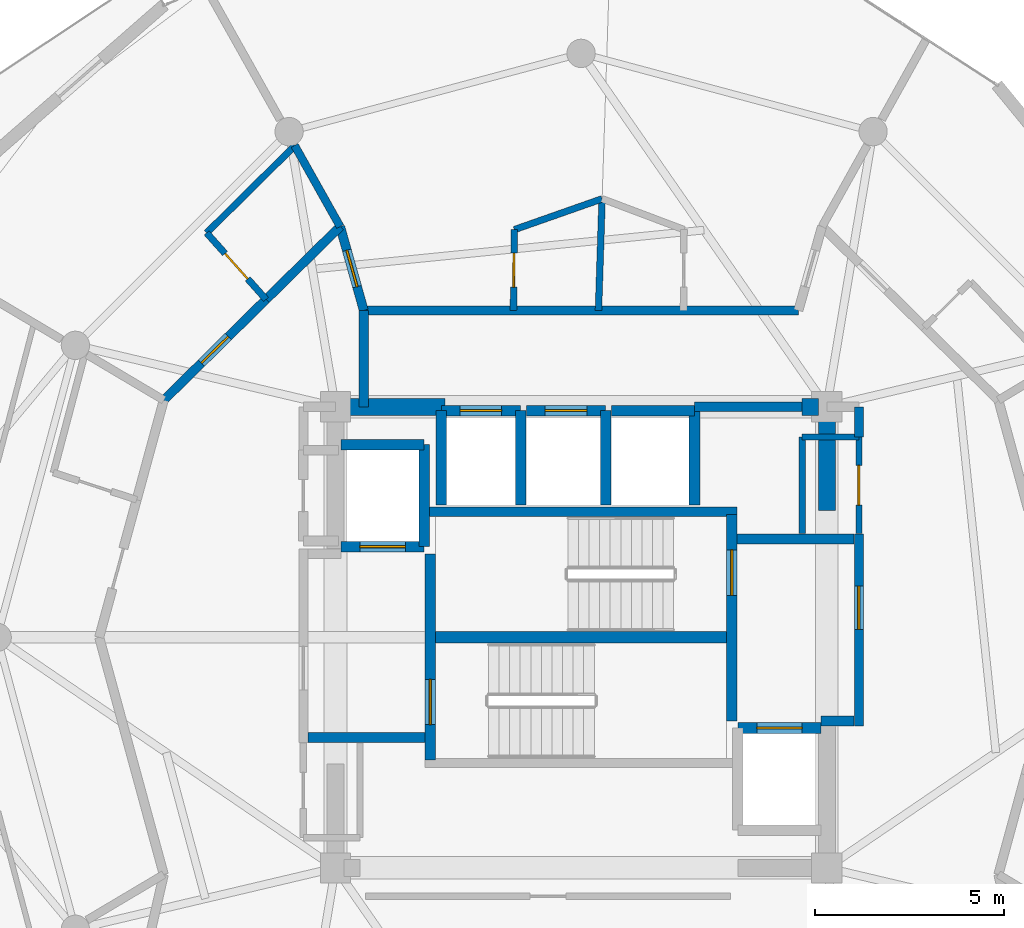
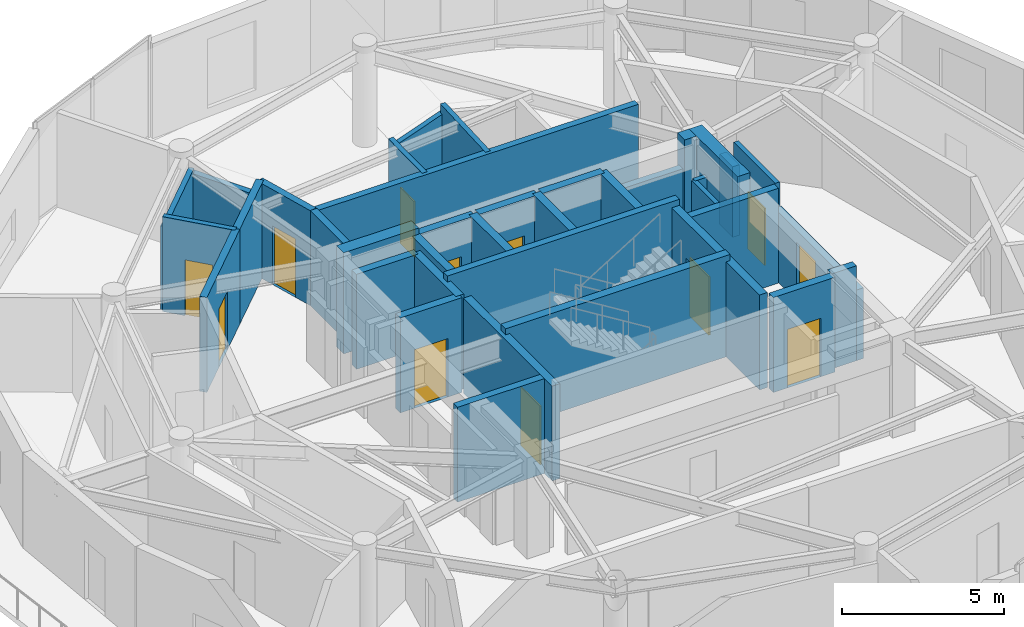
# One storey, part 13 of 17: 38 walls, 12 doors, 12 openings.
"""IFC4 building model written with IfcOpenShell, lengths in metres."""

from ifc_helpers import new_model, si_unit, direction, frame, frame_2d, origin, place, context, subcontext, project, spatial, rectangle, extrude, material, layer, layer_set, type_object, element, fill, save


model = new_model("IFC4")

# Units and contexts
model_context = context("Model", 3, precision=1e-05, world=origin(), true_north=direction((0.0, 1.0)))
body_context = subcontext(model_context, "Body", "Model", "MODEL_VIEW")
ifc_project = project(units=[si_unit("LENGTHUNIT", "METRE"), si_unit("AREAUNIT", "SQUARE_METRE"), si_unit("VOLUMEUNIT", "CUBIC_METRE"), si_unit("PLANEANGLEUNIT", "RADIAN"), si_unit("MASSUNIT", "GRAM", prefix="KILO")], contexts=[model_context])

# Site, building, storey
site_placement = place(None, origin())
site = spatial("IfcSite", under=ifc_project, at=site_placement, CompositionType="ELEMENT")
building_placement = place(site_placement, origin())
building = spatial("IfcBuilding", under=site, at=building_placement, Name="Solvirekh Grand Hotel", CompositionType="ELEMENT")
storey_placement = place(building_placement, frame((0.0, 0.0, 246.800048828125)))
storey = spatial("IfcBuildingStorey", under=building, at=storey_placement, Name="L64", CompositionType="ELEMENT", Elevation=246.800048828125)

# Wall
ifc_material_1 = material(Name="Concrete C50/60", Category="concrete")
ifc_layer_1 = layer(ifc_material_1, 0.35009765625)
ifc_layer_set_1 = layer_set([ifc_layer_1], Name="Concrete C50/60")
wall_type_1 = type_object("IfcWallType", Name="CoreDivWall_RC350", PredefinedType="SOLIDWALL", material=ifc_layer_set_1)
wall_1_placement = place(storey_placement, frame((-4.1298828125, 3.324951171875, 0.0), z_axis=(0.0, 0.0, 1.0), x_axis=(1.0, 0.0, 0.0)))
element("IfcWall", 1, at=wall_1_placement, inside=storey, type_object=wall_type_1, Name="L64 core stair box wall ST-N", PredefinedType="SOLIDWALL", context=body_context, shape_type="SweptSolid", body=[
    extrude(rectangle(XDim=8.259765625, YDim=0.25, at=frame_2d((4.1298828125, 0.0))), origin(), (0.0, 0.0, 1.0), 3.800048828125),
])

# Wall, opening, door
ifc_material_2 = material(Name="Concrete C40/50", Category="concrete")
ifc_layer_2 = layer(ifc_material_2, 0.280029296875)
ifc_layer_set_2 = layer_set([ifc_layer_2], Name="Concrete C40/50")
wall_type_2 = type_object("IfcWallType", Name="CoreShaftWall_RC280", PredefinedType="SOLIDWALL", material=ifc_layer_set_2)
wall_2_placement = place(storey_placement, frame((-1.60009765625, 6.0, 0.0), z_axis=(0.0, 0.0, 1.0), x_axis=(-1.0, 0.0, 0.0)))
wall_2 = element("IfcWall", 2, at=wall_2_placement, inside=storey, type_object=wall_type_2, Name="L64 HP-1 hoistway N wall", PredefinedType="SOLIDWALL", context=body_context, shape_type="SweptSolid", body=[
    extrude(rectangle(XDim=2.099853515625, YDim=0.280029296875, at=frame_2d((1.0498046875, 0.0))), origin(), (0.0, 0.0, 1.0), 3.570068359375),
])
opening_1_placement = place(wall_2_placement, frame((0.5, 0.0, 0.0)))
opening_1 = element("IfcOpeningElement", 3, at=opening_1_placement, cuts=wall_2, Name="Opening LD01", PredefinedType="OPENING", context=body_context, shape_type="SweptSolid", body=[
    extrude(rectangle(XDim=1.10009765625, YDim=2.199951171875, at=frame_2d((0.550048828125, 1.10009765625))), frame((0.0, 0.14990234375, 0.0), z_axis=(0.0, -1.0, 0.0), x_axis=(1.0, 0.0, 0.0)), (0.0, 0.0, 1.0), 0.300048828125),
])
ifc_material_3 = material(Name="Fire-Rated Steel Door Assembly", Category="steel")
door_type_1 = type_object("IfcDoorType", Name="Door_LiftLanding_1100X2200", OperationType="SLIDING_TO_LEFT", PredefinedType="DOOR", material=ifc_material_3)
door_1_placement = place(opening_1_placement, origin())
door_1 = element("IfcDoor", 4, at=door_1_placement, inside=storey, type_object=door_type_1, Name="L64 HP-1 sliding lift landing door", OperationType="SLIDING_TO_LEFT", OverallHeight=2.199951171875, OverallWidth=1.10009765625, PredefinedType="DOOR", context=body_context, shape_type="SweptSolid", body=[
    extrude(rectangle(XDim=1.10009765625, YDim=2.199951171875, at=frame_2d((0.550048828125, 1.10009765625))), frame((0.0, 0.02490234375, 0.0), z_axis=(0.0, -1.0, 0.0), x_axis=(1.0, 0.0, 0.0)), (0.0, 0.0, 1.0), 0.050048828125),
])
fill(opening_1, door_1)

# Walls
for number, where, z_axis, x_axis, name in (
    (5, (-3.699951171875, 6.0, 0.0), (0.0, 0.0, 1.0), (0.0, -1.0, 0.0), "L64 HP-1 hoistway W wall"),
    (6, (-1.60009765625, 3.5, 0.0), (0.0, 0.0, 1.0), (0.0, 1.0, 0.0), "L64 HP-1 hoistway E wall"),
):
    element("IfcWall", number, at=place(storey_placement, frame(where, z_axis=z_axis, x_axis=x_axis)), inside=storey, type_object=wall_type_2, Name=name, PredefinedType="SOLIDWALL", context=body_context, shape_type="SweptSolid", body=[
        extrude(rectangle(XDim=2.5, YDim=0.280029296875, at=frame_2d((1.25, 0.0))), origin(), (0.0, 0.0, 1.0), 3.570068359375),
    ])

# Wall, opening, door
wall_3_placement = place(storey_placement, frame((0.64990234375, 6.0, 0.0), z_axis=(0.0, 0.0, 1.0), x_axis=(-1.0, 0.0, 0.0)))
wall_3 = element("IfcWall", 7, at=wall_3_placement, inside=storey, type_object=wall_type_2, Name="L64 HP-2 hoistway N wall", PredefinedType="SOLIDWALL", context=body_context, shape_type="SweptSolid", body=[
    extrude(rectangle(XDim=2.099853515625, YDim=0.280029296875, at=frame_2d((1.0498046875, 0.0))), origin(), (0.0, 0.0, 1.0), 3.570068359375),
])
opening_2_placement = place(wall_3_placement, frame((0.5, 0.0, 0.0)))
opening_2 = element("IfcOpeningElement", 8, at=opening_2_placement, cuts=wall_3, Name="Opening LD01", PredefinedType="OPENING", context=body_context, shape_type="SweptSolid", body=[
    extrude(rectangle(XDim=1.10009765625, YDim=2.199951171875, at=frame_2d((0.550048828125, 1.10009765625))), frame((0.0, 0.14990234375, 0.0), z_axis=(0.0, -1.0, 0.0), x_axis=(1.0, 0.0, 0.0)), (0.0, 0.0, 1.0), 0.300048828125),
])
door_2_placement = place(opening_2_placement, origin())
door_2 = element("IfcDoor", 9, at=door_2_placement, inside=storey, type_object=door_type_1, Name="L64 HP-2 sliding lift landing door", OperationType="SLIDING_TO_LEFT", OverallHeight=2.199951171875, OverallWidth=1.10009765625, PredefinedType="DOOR", context=body_context, shape_type="SweptSolid", body=[
    extrude(rectangle(XDim=1.10009765625, YDim=2.199951171875, at=frame_2d((0.550048828125, 1.10009765625))), frame((0.0, 0.02490234375, 0.0), z_axis=(0.0, -1.0, 0.0), x_axis=(1.0, 0.0, 0.0)), (0.0, 0.0, 1.0), 0.050048828125),
])
fill(opening_2, door_2)

# Walls
wall_4_placement = place(storey_placement, frame((0.64990234375, 3.5, 0.0), z_axis=(0.0, 0.0, 1.0), x_axis=(0.0, 1.0, 0.0)))
element("IfcWall", 10, at=wall_4_placement, inside=storey, type_object=wall_type_2, Name="L64 HP-2 hoistway E wall", PredefinedType="SOLIDWALL", context=body_context, shape_type="SweptSolid", body=[
    extrude(rectangle(XDim=2.5, YDim=0.280029296875, at=frame_2d((1.25, 0.0))), origin(), (0.0, 0.0, 1.0), 3.570068359375),
])
wall_5_placement = place(storey_placement, frame((3.0, 6.0, 0.0), z_axis=(0.0, 0.0, 1.0), x_axis=(-1.0, 0.0, 0.0)))
element("IfcWall", 11, at=wall_5_placement, inside=storey, type_object=wall_type_2, Name="L64 EX-1 hoistway N wall", PredefinedType="SOLIDWALL", context=body_context, shape_type="SweptSolid", body=[
    extrude(rectangle(XDim=2.199951171875, YDim=0.280029296875, at=frame_2d((1.10009765625, 0.0))), origin(), (0.0, 0.0, 1.0), 3.570068359375),
])
wall_6_placement = place(storey_placement, frame((3.0, 3.5, 0.0), z_axis=(0.0, 0.0, 1.0), x_axis=(0.0, 1.0, 0.0)))
element("IfcWall", 12, at=wall_6_placement, inside=storey, type_object=wall_type_2, Name="L64 EX-1 hoistway E wall", PredefinedType="SOLIDWALL", context=body_context, shape_type="SweptSolid", body=[
    extrude(rectangle(XDim=2.5, YDim=0.280029296875, at=frame_2d((1.25, 0.0))), origin(), (0.0, 0.0, 1.0), 3.570068359375),
])

# Wall, opening, door
wall_7_placement = place(storey_placement, frame((-6.35009765625, 2.39990234375, 0.0), z_axis=(0.0, 0.0, 1.0), x_axis=(1.0, 0.0, 0.0)))
wall_7 = element("IfcWall", 13, at=wall_7_placement, inside=storey, type_object=wall_type_2, Name="L64 FL-1 hoistway S wall", PredefinedType="SOLIDWALL", context=body_context, shape_type="SweptSolid", body=[
    extrude(rectangle(XDim=2.2001953125, YDim=0.280029296875, at=frame_2d((1.10009765625, 0.0))), origin(), (0.0, 0.0, 1.0), 3.570068359375),
])
opening_3_placement = place(wall_7_placement, frame((0.5, 0.0, 0.0)))
opening_3 = element("IfcOpeningElement", 14, at=opening_3_placement, cuts=wall_7, Name="Opening LD02", PredefinedType="OPENING", context=body_context, shape_type="SweptSolid", body=[
    extrude(rectangle(XDim=1.199951171875, YDim=2.199951171875, at=frame_2d((0.60009765625, 1.10009765625))), frame((0.0, 0.14990234375, 0.0), z_axis=(0.0, -1.0, 0.0), x_axis=(1.0, 0.0, 0.0)), (0.0, 0.0, 1.0), 0.300048828125),
])
door_type_2 = type_object("IfcDoorType", Name="Door_LiftFF_1200X2200", OperationType="SLIDING_TO_LEFT", PredefinedType="DOOR", material=ifc_material_3)
door_3_placement = place(opening_3_placement, origin())
door_3 = element("IfcDoor", 15, at=door_3_placement, inside=storey, type_object=door_type_2, Name="L64 FL-1 sliding lift landing door", OperationType="SLIDING_TO_LEFT", OverallHeight=2.199951171875, OverallWidth=1.199951171875, PredefinedType="DOOR", context=body_context, shape_type="SweptSolid", body=[
    extrude(rectangle(XDim=1.199951171875, YDim=2.199951171875, at=frame_2d((0.60009765625, 1.10009765625))), frame((0.0, 0.02490234375, 0.0), z_axis=(0.0, -1.0, 0.0), x_axis=(1.0, 0.0, 0.0)), (0.0, 0.0, 1.0), 0.050048828125),
])
fill(opening_3, door_3)

# Walls
wall_8_placement = place(storey_placement, frame((-4.14990234375, 5.10009765625, 0.0), z_axis=(0.0, 0.0, 1.0), x_axis=(-1.0, 0.0, 0.0)))
element("IfcWall", 16, at=wall_8_placement, inside=storey, type_object=wall_type_2, Name="L64 FL-1 hoistway N wall", PredefinedType="SOLIDWALL", context=body_context, shape_type="SweptSolid", body=[
    extrude(rectangle(XDim=2.2001953125, YDim=0.280029296875, at=frame_2d((1.10009765625, 0.0))), origin(), (0.0, 0.0, 1.0), 3.570068359375),
])
wall_9_placement = place(storey_placement, frame((-4.14990234375, 2.39990234375, 0.0), z_axis=(0.0, 0.0, 1.0), x_axis=(0.0, 1.0, 0.0)))
element("IfcWall", 17, at=wall_9_placement, inside=storey, type_object=wall_type_2, Name="L64 FL-1 hoistway E wall", PredefinedType="SOLIDWALL", context=body_context, shape_type="SweptSolid", body=[
    extrude(rectangle(XDim=2.7001953125, YDim=0.280029296875, at=frame_2d((1.35009765625, 0.0))), origin(), (0.0, 0.0, 1.0), 3.570068359375),
])

# Wall, opening, door
wall_10_placement = place(storey_placement, frame((6.35009765625, -2.39990234375, 0.0), z_axis=(0.0, 0.0, 1.0), x_axis=(-1.0, 0.0, 0.0)))
wall_10 = element("IfcWall", 18, at=wall_10_placement, inside=storey, type_object=wall_type_2, Name="L64 FL-2 hoistway N wall", PredefinedType="SOLIDWALL", context=body_context, shape_type="SweptSolid", body=[
    extrude(rectangle(XDim=2.2001953125, YDim=0.280029296875, at=frame_2d((1.10009765625, 0.0))), origin(), (0.0, 0.0, 1.0), 3.570068359375),
])
opening_4_placement = place(wall_10_placement, frame((0.5, 0.0, 0.0)))
opening_4 = element("IfcOpeningElement", 19, at=opening_4_placement, cuts=wall_10, Name="Opening LD02", PredefinedType="OPENING", context=body_context, shape_type="SweptSolid", body=[
    extrude(rectangle(XDim=1.199951171875, YDim=2.199951171875, at=frame_2d((0.60009765625, 1.10009765625))), frame((0.0, 0.14990234375, 0.0), z_axis=(0.0, -1.0, 0.0), x_axis=(1.0, 0.0, 0.0)), (0.0, 0.0, 1.0), 0.300048828125),
])
door_4_placement = place(opening_4_placement, origin())
door_4 = element("IfcDoor", 20, at=door_4_placement, inside=storey, type_object=door_type_2, Name="L64 FL-2 sliding lift landing door", OperationType="SLIDING_TO_LEFT", OverallHeight=2.199951171875, OverallWidth=1.199951171875, PredefinedType="DOOR", context=body_context, shape_type="SweptSolid", body=[
    extrude(rectangle(XDim=1.199951171875, YDim=2.199951171875, at=frame_2d((0.60009765625, 1.10009765625))), frame((0.0, 0.02490234375, 0.0), z_axis=(0.0, -1.0, 0.0), x_axis=(1.0, 0.0, 0.0)), (0.0, 0.0, 1.0), 0.050048828125),
])
fill(opening_4, door_4)

wall_11_placement = place(storey_placement, frame((-3.989990234375, -3.25, 0.0), z_axis=(0.0, 0.0, 1.0), x_axis=(0.0, 1.0, 0.0)))
wall_11 = element("IfcWall", 21, at=wall_11_placement, inside=storey, type_object=wall_type_2, Name="L64 west stair landing enclosure wall", PredefinedType="SOLIDWALL", context=body_context, shape_type="SweptSolid", body=[
    extrude(rectangle(XDim=5.4599609375, YDim=0.280029296875, at=frame_2d((2.72998046875, 0.0))), origin(), (0.0, 0.0, 1.0), 3.570068359375),
])
opening_5_placement = place(wall_11_placement, frame((0.93701171875, 0.0, 0.0)))
opening_5 = element("IfcOpeningElement", 22, at=opening_5_placement, cuts=wall_11, Name="Opening D05", PredefinedType="OPENING", context=body_context, shape_type="SweptSolid", body=[
    extrude(rectangle(XDim=1.199951171875, YDim=2.199951171875, at=frame_2d((0.60009765625, 1.10009765625))), frame((0.0, 0.14990234375, 0.0), z_axis=(0.0, -1.0, 0.0), x_axis=(1.0, 0.0, 0.0)), (0.0, 0.0, 1.0), 0.300048828125),
])
door_type_3 = type_object("IfcDoorType", Name="Door_StairCore_1200X2200", OperationType="NOTDEFINED", PredefinedType="DOOR", material=ifc_material_3)
door_5_placement = place(opening_5_placement, origin())
door_5 = element("IfcDoor", 23, at=door_5_placement, inside=storey, type_object=door_type_3, Name="L64 exit stair ST-1 fire door", OperationType="SINGLE_SWING_RIGHT", OverallHeight=2.199951171875, OverallWidth=1.199951171875, PredefinedType="DOOR", context=body_context, shape_type="SweptSolid", body=[
    extrude(rectangle(XDim=1.199951171875, YDim=2.199951171875, at=frame_2d((0.60009765625, 1.10009765625))), frame((0.0, 0.02490234375, 0.0), z_axis=(0.0, -1.0, 0.0), x_axis=(1.0, 0.0, 0.0)), (0.0, 0.0, 1.0), 0.050048828125),
])
fill(opening_5, door_5)

wall_12_placement = place(storey_placement, frame((3.989990234375, -2.2099609375, 0.0), z_axis=(0.0, 0.0, 1.0), x_axis=(0.0, 1.0, 0.0)))
wall_12 = element("IfcWall", 24, at=wall_12_placement, inside=storey, type_object=wall_type_2, Name="L64 east stair landing enclosure wall", PredefinedType="SOLIDWALL", context=body_context, shape_type="SweptSolid", body=[
    extrude(rectangle(XDim=5.4599609375, YDim=0.280029296875, at=frame_2d((2.72998046875, 0.0))), origin(), (0.0, 0.0, 1.0), 3.570068359375),
])
opening_6_placement = place(wall_12_placement, frame((3.322998046875, 0.0, 0.0)))
opening_6 = element("IfcOpeningElement", 25, at=opening_6_placement, cuts=wall_12, Name="Opening D05", PredefinedType="OPENING", context=body_context, shape_type="SweptSolid", body=[
    extrude(rectangle(XDim=1.199951171875, YDim=2.199951171875, at=frame_2d((0.60009765625, 1.10009765625))), frame((0.0, 0.14990234375, 0.0), z_axis=(0.0, -1.0, 0.0), x_axis=(1.0, 0.0, 0.0)), (0.0, 0.0, 1.0), 0.300048828125),
])
door_6_placement = place(opening_6_placement, origin())
door_6 = element("IfcDoor", 26, at=door_6_placement, inside=storey, type_object=door_type_3, Name="L64 exit stair ST-2 fire door", OperationType="SINGLE_SWING_LEFT", OverallHeight=2.199951171875, OverallWidth=1.199951171875, PredefinedType="DOOR", context=body_context, shape_type="SweptSolid", body=[
    extrude(rectangle(XDim=1.199951171875, YDim=2.199951171875, at=frame_2d((0.60009765625, 1.10009765625))), frame((0.0, 0.02490234375, 0.0), z_axis=(0.0, -1.0, 0.0), x_axis=(1.0, 0.0, 0.0)), (0.0, 0.0, 1.0), 0.050048828125),
])
fill(opening_6, door_6)

# Walls
ifc_layer_3 = layer(ifc_material_1, 0.449951171875)
ifc_layer_set_3 = layer_set([ifc_layer_3], Name="Concrete C50/60")
wall_type_3 = type_object("IfcWallType", Name="CoreWall_RC450", PredefinedType="SHEAR", material=ifc_layer_set_3)
wall_13_placement = place(storey_placement, frame((-3.989990234375, 0.0, 0.0), z_axis=(0.0, 0.0, 1.0), x_axis=(1.0, 0.0, 0.0)))
element("IfcWall", 27, at=wall_13_placement, inside=storey, type_object=wall_type_3, Name="L64 central stair-spine shear wall", PredefinedType="SHEAR", context=body_context, shape_type="SweptSolid", body=[
    extrude(rectangle(XDim=7.97998046875, YDim=0.300048828125, at=frame_2d((3.989990234375, 0.0))), origin(), (0.0, 0.0, 1.0), 3.800048828125),
])
wall_14_placement = place(storey_placement, frame((-6.27490234375, 6.10009765625, 0.0), z_axis=(0.0, 0.0, 1.0), x_axis=(1.0, 0.0, 0.0)))
element("IfcWall", 28, at=wall_14_placement, inside=storey, type_object=wall_type_3, Name="L64 core corner shear wall NW-N", PredefinedType="SHEAR", context=body_context, shape_type="SweptSolid", body=[
    extrude(rectangle(XDim=2.6748046875, YDim=0.449951171875, at=frame_2d((1.33740234375, 0.0))), origin(), (0.0, 0.0, 1.0), 3.800048828125),
])
wall_15_placement = place(storey_placement, frame((5.85009765625, 6.10009765625, 0.0), z_axis=(0.0, 0.0, 1.0), x_axis=(1.0, 0.0, 0.0)))
element("IfcWall", 29, at=wall_15_placement, inside=storey, type_object=wall_type_3, Name="L64 core corner shear wall NE-N", PredefinedType="SHEAR", context=body_context, shape_type="SweptSolid", body=[
    extrude(rectangle(XDim=0.4248046875, YDim=0.449951171875, at=frame_2d((0.21240234375, 0.0))), origin(), (0.0, 0.0, 1.0), 3.800048828125),
])
wall_16_placement = place(storey_placement, frame((6.5, 3.35009765625, 0.0), z_axis=(0.0, 0.0, 1.0), x_axis=(0.0, 1.0, 0.0)))
element("IfcWall", 30, at=wall_16_placement, inside=storey, type_object=wall_type_3, Name="L64 core corner shear wall EN-E", PredefinedType="SHEAR", context=body_context, shape_type="SweptSolid", body=[
    extrude(rectangle(XDim=2.974853515625, YDim=0.449951171875, at=frame_2d((1.4873046875, 0.0))), origin(), (0.0, 0.0, 1.0), 3.800048828125),
])

# Wall, opening, door
ifc_material_4 = material(Name="Acoustic Gypsum Partition Assembly")
ifc_layer_4 = layer(ifc_material_4, 0.1650390625)
ifc_layer_set_4 = layer_set([ifc_layer_4], Name="Acoustic Gypsum Partition Assembly")
wall_type_4 = type_object("IfcWallType", Name="Part_BOH_165", PredefinedType="PARTITIONING", material=ifc_layer_set_4)
wall_17_placement = place(storey_placement, frame((7.35009765625, 2.75, 0.0), z_axis=(0.0, 0.0, 1.0), x_axis=(0.0, 1.0, 0.0)))
wall_17 = element("IfcWall", 31, at=wall_17_placement, inside=storey, type_object=wall_type_4, Name="L64 L64 Telecom Distribution Room wall 2", PredefinedType="PARTITIONING", context=body_context, shape_type="SweptSolid", body=[
    extrude(rectangle(XDim=2.550048828125, YDim=0.1650390625, at=frame_2d((1.27490234375, 0.0))), origin(), (0.0, 0.0, 1.0), 3.570068359375),
])
opening_7_placement = place(wall_17_placement, frame((0.75, 0.0, 0.0)))
opening_7 = element("IfcOpeningElement", 32, at=opening_7_placement, cuts=wall_17, Name="Opening D12", PredefinedType="OPENING", context=body_context, shape_type="SweptSolid", body=[
    extrude(rectangle(XDim=1.050048828125, YDim=2.14990234375, at=frame_2d((0.52490234375, 1.074951171875))), frame((0.0, 0.092529296875, 0.0), z_axis=(0.0, -1.0, 0.0), x_axis=(1.0, 0.0, 0.0)), (0.0, 0.0, 1.0), 0.18505859375),
])
door_type_4 = type_object("IfcDoorType", Name="Door_PlantBOH_1050X2150", OperationType="NOTDEFINED", PredefinedType="DOOR", material=ifc_material_3)
door_7_placement = place(opening_7_placement, origin())
door_7 = element("IfcDoor", 33, at=door_7_placement, inside=storey, type_object=door_type_4, Name="L64 L64 Telecom Distribution Room door", OperationType="SINGLE_SWING_RIGHT", OverallHeight=2.14990234375, OverallWidth=1.050048828125, PredefinedType="DOOR", context=body_context, shape_type="SweptSolid", body=[
    extrude(rectangle(XDim=1.050048828125, YDim=2.14990234375, at=frame_2d((0.52490234375, 1.074951171875))), frame((0.0, 0.02490234375, 0.0), z_axis=(0.0, -1.0, 0.0), x_axis=(1.0, 0.0, 0.0)), (0.0, 0.0, 1.0), 0.050048828125),
])
fill(opening_7, door_7)

# Walls
wall_18_placement = place(storey_placement, frame((7.35009765625, 5.300048828125, 0.0), z_axis=(0.0, 0.0, 1.0), x_axis=(-1.0, 0.0, 0.0)))
element("IfcWall", 34, at=wall_18_placement, inside=storey, type_object=wall_type_4, Name="L64 L64 Telecom Distribution Room wall 3", PredefinedType="PARTITIONING", context=body_context, shape_type="SweptSolid", body=[
    extrude(rectangle(XDim=1.5, YDim=0.1650390625, at=frame_2d((0.75, 0.0))), origin(), (0.0, 0.0, 1.0), 2.655029296875),
])
wall_19_placement = place(storey_placement, frame((5.85009765625, 5.300048828125, 0.0), z_axis=(0.0, 0.0, 1.0), x_axis=(0.0, -1.0, 0.0)))
element("IfcWall", 35, at=wall_19_placement, inside=storey, type_object=wall_type_4, Name="L64 L64 Telecom Distribution Room wall 4", PredefinedType="PARTITIONING", context=body_context, shape_type="SweptSolid", body=[
    extrude(rectangle(XDim=2.550048828125, YDim=0.1650390625, at=frame_2d((1.27490234375, 0.0))), origin(), (0.0, 0.0, 1.0), 2.655029296875),
])

# Wall, opening, door
ifc_layer_5 = layer(ifc_material_4, 0.239990234375)
ifc_layer_set_5 = layer_set([ifc_layer_5], Name="Acoustic Gypsum Partition Assembly")
wall_type_5 = type_object("IfcWallType", Name="Part_Corridor_240", PredefinedType="PARTITIONING", material=ifc_layer_set_5)
wall_20_placement = place(storey_placement, frame((7.35009765625, -2.340087890625, 0.0), z_axis=(0.0, 0.0, 1.0), x_axis=(0.0, 1.0, 0.0)))
wall_20 = element("IfcWall", 36, at=wall_20_placement, inside=storey, type_object=wall_type_5, Name="L64 east firefighting lobby smoke screen wall", PredefinedType="PARTITIONING", context=body_context, shape_type="SweptSolid", body=[
    extrude(rectangle(XDim=5.070068359375, YDim=0.239990234375, at=frame_2d((2.53515625, 0.0))), origin(), (0.0, 0.0, 1.0), 2.655029296875),
])
opening_8_placement = place(wall_20_placement, frame((2.548095703125, 0.0, 0.0)))
opening_8 = element("IfcOpeningElement", 37, at=opening_8_placement, cuts=wall_20, Name="Opening D06", PredefinedType="OPENING", context=body_context, shape_type="SweptSolid", body=[
    extrude(rectangle(XDim=1.14990234375, YDim=2.199951171875, at=frame_2d((0.574951171875, 1.10009765625))), frame((0.0, 0.1298828125, 0.0), z_axis=(0.0, -1.0, 0.0), x_axis=(1.0, 0.0, 0.0)), (0.0, 0.0, 1.0), 0.260009765625),
])
door_type_5 = type_object("IfcDoorType", Name="Door_FFLobby_1150X2200", OperationType="NOTDEFINED", PredefinedType="DOOR", material=ifc_material_3)
door_8_placement = place(opening_8_placement, origin())
door_8 = element("IfcDoor", 38, at=door_8_placement, inside=storey, type_object=door_type_5, Name="L64 east firefighting lobby smoke door", OperationType="SINGLE_SWING_LEFT", OverallHeight=2.199951171875, OverallWidth=1.14990234375, PredefinedType="DOOR", context=body_context, shape_type="SweptSolid", body=[
    extrude(rectangle(XDim=1.14990234375, YDim=2.199951171875, at=frame_2d((0.574951171875, 1.10009765625))), frame((0.0, 0.02490234375, 0.0), z_axis=(0.0, -1.0, 0.0), x_axis=(1.0, 0.0, 0.0)), (0.0, 0.0, 1.0), 0.050048828125),
])
fill(opening_8, door_8)

# Walls
wall_21_placement = place(storey_placement, frame((-5.75, 8.64990234375, 0.0), z_axis=(0.0, 0.0, 1.0), x_axis=(1.0, 0.0, 0.0)))
element("IfcWall", 39, at=wall_21_placement, inside=storey, type_object=wall_type_5, Name="L64 north lift lobby enclosure wall", PredefinedType="PARTITIONING", context=body_context, shape_type="SweptSolid", body=[
    extrude(rectangle(XDim=11.5, YDim=0.239990234375, at=frame_2d((5.75, 0.0))), origin(), (0.0, 0.0, 1.0), 3.570068359375),
])
wall_22_placement = place(storey_placement, frame((3.0, 6.10009765625, 0.0), z_axis=(0.0, 0.0, 1.0), x_axis=(1.0, 0.0, 0.0)))
element("IfcWall", 40, at=wall_22_placement, inside=storey, type_object=wall_type_5, Name="L64 north core shaft infill wall", PredefinedType="PARTITIONING", context=body_context, shape_type="SweptSolid", body=[
    extrude(rectangle(XDim=2.85009765625, YDim=0.239990234375, at=frame_2d((1.425048828125, 0.0))), origin(), (0.0, 0.0, 1.0), 2.655029296875),
])
wall_23_placement = place(storey_placement, frame((7.35009765625, 5.300048828125, 0.0), z_axis=(0.0, 0.0, 1.0), x_axis=(0.0, 1.0, 0.0)))
element("IfcWall", 41, at=wall_23_placement, inside=storey, type_object=wall_type_5, Name="L64 NE core cheek closure wall", PredefinedType="PARTITIONING", context=body_context, shape_type="SweptSolid", body=[
    extrude(rectangle(XDim=0.800048828125, YDim=0.239990234375, at=frame_2d((0.39990234375, 0.0))), origin(), (0.0, 0.0, 1.0), 2.655029296875),
])
wall_24_placement = place(storey_placement, frame((-5.75, 6.10009765625, 0.0), z_axis=(0.0, 0.0, 1.0), x_axis=(0.0, 1.0, 0.0)))
element("IfcWall", 42, at=wall_24_placement, inside=storey, type_object=wall_type_5, Name="L64 north lift lobby west wall", PredefinedType="PARTITIONING", context=body_context, shape_type="SweptSolid", body=[
    extrude(rectangle(XDim=2.5498046875, YDim=0.239990234375, at=frame_2d((1.27490234375, 0.0))), origin(), (0.0, 0.0, 1.0), 3.570068359375),
])

# Wall, opening, door
wall_25_placement = place(storey_placement, frame((-6.375, 10.868896484375, 0.0), z_axis=(0.0, 0.0, 1.0), x_axis=(0.271110513922, -0.962548226969, 0.0)))
wall_25 = element("IfcWall", 43, at=wall_25_placement, inside=storey, type_object=wall_type_5, Name="L64 Panorama Suite 6602 entrance wall", PredefinedType="PARTITIONING", context=body_context, shape_type="SweptSolid", body=[
    extrude(rectangle(XDim=2.305419921875, YDim=0.239990234375, at=frame_2d((1.15283203125, 0.0))), origin(), (0.0, 0.0, 1.0), 3.570068359375),
])
opening_9_placement = place(wall_25_placement, frame((0.653076171875, 0.0, 0.0)))
opening_9 = element("IfcOpeningElement", 44, at=opening_9_placement, cuts=wall_25, Name="Opening D07", PredefinedType="OPENING", context=body_context, shape_type="SweptSolid", body=[
    extrude(rectangle(XDim=1.0, YDim=2.199951171875, at=frame_2d((0.5, 1.10009765625))), frame((0.0, 0.1298828125, 0.0), z_axis=(0.0, -1.0, 0.0), x_axis=(1.0, 0.0, 0.0)), (0.0, 0.0, 1.0), 0.260009765625),
])
door_type_6 = type_object("IfcDoorType", Name="Door_GuestEntry_1000X2200", OperationType="NOTDEFINED", PredefinedType="DOOR", material=ifc_material_3)
door_9_placement = place(opening_9_placement, origin())
door_9 = element("IfcDoor", 45, at=door_9_placement, inside=storey, type_object=door_type_6, Name="L64 Panorama Suite 6602 entrance door", OperationType="SINGLE_SWING_LEFT", OverallHeight=2.199951171875, OverallWidth=1.0, PredefinedType="DOOR", context=body_context, shape_type="SweptSolid", body=[
    extrude(rectangle(XDim=1.0, YDim=2.199951171875, at=frame_2d((0.5, 1.10009765625))), frame((0.0, 0.02490234375, 0.0), z_axis=(0.0, -1.0, 0.0), x_axis=(1.0, 0.0, 0.0)), (0.0, 0.0, 1.0), 0.050048828125),
])
fill(opening_9, door_9)

# Wall
wall_26_placement = place(storey_placement, frame((-6.375, 10.868896484375, 0.0), z_axis=(0.0, 0.0, 1.0), x_axis=(-0.712721806089, -0.701446809904, 0.0)))
element("IfcWall", 46, at=wall_26_placement, inside=storey, type_object=wall_type_5, Name="L64 En-suite Bathroom 6603 corridor backing wall", PredefinedType="PARTITIONING", context=body_context, shape_type="SweptSolid", body=[
    extrude(rectangle(XDim=2.75, YDim=0.239990234375, at=frame_2d((1.375, 0.0))), origin(), (0.0, 0.0, 1.0), 3.570068359375),
])

# Wall, opening, door
wall_27_placement = place(storey_placement, frame((-8.3349609375, 8.93994140625, 0.0), z_axis=(0.0, 0.0, 1.0), x_axis=(-0.712612295011, -0.701558063883, 0.0)))
wall_27 = element("IfcWall", 47, at=wall_27_placement, inside=storey, type_object=wall_type_5, Name="L64 Deluxe Guestroom 6603 entrance wall", PredefinedType="PARTITIONING", context=body_context, shape_type="SweptSolid", body=[
    extrude(rectangle(XDim=3.798828125, YDim=0.239990234375, at=frame_2d((1.8994140625, 0.0))), origin(), (0.0, 0.0, 1.0), 3.570068359375),
])
opening_10_placement = place(wall_27_placement, frame((1.39892578125, 0.0, 0.0)))
opening_10 = element("IfcOpeningElement", 48, at=opening_10_placement, cuts=wall_27, Name="Opening D07", PredefinedType="OPENING", context=body_context, shape_type="SweptSolid", body=[
    extrude(rectangle(XDim=1.0, YDim=2.199951171875, at=frame_2d((0.5, 1.10009765625))), frame((0.0, 0.1298828125, 0.0), z_axis=(0.0, -1.0, 0.0), x_axis=(1.0, 0.0, 0.0)), (0.0, 0.0, 1.0), 0.260009765625),
])
door_10_placement = place(opening_10_placement, origin())
door_10 = element("IfcDoor", 49, at=door_10_placement, inside=storey, type_object=door_type_6, Name="L64 Deluxe Guestroom 6603 entrance door", OperationType="SINGLE_SWING_LEFT", OverallHeight=2.199951171875, OverallWidth=1.0, PredefinedType="DOOR", context=body_context, shape_type="SweptSolid", body=[
    extrude(rectangle(XDim=1.0, YDim=2.199951171875, at=frame_2d((0.5, 1.10009765625))), frame((0.0, 0.02490234375, 0.0), z_axis=(0.0, -1.0, 0.0), x_axis=(1.0, 0.0, 0.0)), (0.0, 0.0, 1.0), 0.050048828125),
])
fill(opening_10, door_10)

# Walls
ifc_layer_6 = layer(ifc_material_4, 0.260009765625)
ifc_layer_set_6 = layer_set([ifc_layer_6], Name="Acoustic Gypsum Partition Assembly")
wall_type_6 = type_object("IfcWallType", Name="Part_LobbyFF_260", PredefinedType="PARTITIONING", material=ifc_layer_set_6)
wall_28_placement = place(storey_placement, frame((-7.22509765625, -2.64990234375, 0.0), z_axis=(0.0, 0.0, 1.0), x_axis=(1.0, 0.0, 0.0)))
element("IfcWall", 50, at=wall_28_placement, inside=storey, type_object=wall_type_6, Name="L64 west firefighting lobby south partition", PredefinedType="PARTITIONING", context=body_context, shape_type="SweptSolid", body=[
    extrude(rectangle(XDim=3.09521484375, YDim=0.260009765625, at=frame_2d((1.547607421875, 0.0))), origin(), (0.0, 0.0, 1.0), 3.570068359375),
])
wall_29_placement = place(storey_placement, frame((6.35009765625, -2.2099609375, 0.0), z_axis=(0.0, 0.0, 1.0), x_axis=(1.0, 0.0, 0.0)))
element("IfcWall", 51, at=wall_29_placement, inside=storey, type_object=wall_type_6, Name="L64 east firefighting lobby SE cheek", PredefinedType="PARTITIONING", context=body_context, shape_type="SweptSolid", body=[
    extrude(rectangle(XDim=0.875, YDim=0.260009765625, at=frame_2d((0.4375, 0.0))), origin(), (0.0, 0.0, 1.0), 3.570068359375),
])
wall_30_placement = place(storey_placement, frame((4.1298828125, 2.60009765625, 0.0), z_axis=(0.0, 0.0, 1.0), x_axis=(1.0, 0.0, 0.0)))
element("IfcWall", 52, at=wall_30_placement, inside=storey, type_object=wall_type_6, Name="L64 east firefighting lobby north partition", PredefinedType="PARTITIONING", context=body_context, shape_type="SweptSolid", body=[
    extrude(rectangle(XDim=3.09521484375, YDim=0.260009765625, at=frame_2d((1.547607421875, 0.0))), origin(), (0.0, 0.0, 1.0), 3.570068359375),
])
ifc_layer_7 = layer(ifc_material_4, 0.2099609375)
ifc_layer_set_7 = layer_set([ifc_layer_7], Name="Acoustic Gypsum Partition Assembly")
wall_type_7 = type_object("IfcWallType", Name="Part_SuiteDemise_210", PredefinedType="PARTITIONING", material=ifc_layer_set_7)
wall_31_placement = place(storey_placement, frame((-6.375, 10.868896484375, 0.0), z_axis=(0.0, 0.0, 1.0), x_axis=(-0.489667191284, 0.871909422922, 0.0)))
element("IfcWall", 53, at=wall_31_placement, inside=storey, type_object=wall_type_7, Name="L64 suite radial wall 5 (A)", PredefinedType="PARTITIONING", context=body_context, shape_type="SweptSolid", body=[
    extrude(rectangle(XDim=2.458984375, YDim=0.2099609375, at=frame_2d((1.2294921875, 0.0))), origin(), (0.0, 0.0, 1.0), 3.010986328125),
])
ifc_layer_8 = layer(ifc_material_4, 0.175048828125)
ifc_layer_set_8 = layer_set([ifc_layer_8], Name="Acoustic Gypsum Partition Assembly")
wall_type_8 = type_object("IfcWallType", Name="Plumb_Ensuite_175", PredefinedType="PLUMBINGWALL", material=ifc_layer_set_8)
wall_32_placement = place(storey_placement, frame((0.555908203125, 11.60205078125, 0.0), z_axis=(0.0, 0.0, 1.0), x_axis=(-0.032483675207, -0.999472266171, 0.0)))
element("IfcWall", 54, at=wall_32_placement, inside=storey, type_object=wall_type_8, Name="L64 En-suite Bathroom 6601 side plumbing wall", PredefinedType="PLUMBINGWALL", context=body_context, shape_type="SweptSolid", body=[
    extrude(rectangle(XDim=2.95361328125, YDim=0.175048828125, at=frame_2d((1.476806640625, 0.0))), origin(), (0.0, 0.0, 1.0), 3.570068359375),
])
wall_33_placement = place(storey_placement, frame((-1.76708984375, 10.785888671875, 0.0), z_axis=(0.0, 0.0, 1.0), x_axis=(0.943463492061, 0.331476453385, 0.0)))
element("IfcWall", 55, at=wall_33_placement, inside=storey, type_object=wall_type_8, Name="L64 En-suite Bathroom 6602 outer plumbing wall", PredefinedType="PLUMBINGWALL", context=body_context, shape_type="SweptSolid", body=[
    extrude(rectangle(XDim=2.462158203125, YDim=0.175048828125, at=frame_2d((1.23095703125, 0.0))), origin(), (0.0, 0.0, 1.0), 3.251953125),
])

# Wall, opening, door
wall_34_placement = place(storey_placement, frame((-1.76708984375, 10.785888671875, 0.0), z_axis=(0.0, 0.0, 1.0), x_axis=(-0.010743464968, -0.999942287315, 0.0)))
wall_34 = element("IfcWall", 56, at=wall_34_placement, inside=storey, type_object=wall_type_8, Name="L64 En-suite Bathroom 6602 entry plumbing wall", PredefinedType="PLUMBINGWALL", context=body_context, shape_type="SweptSolid", body=[
    extrude(rectangle(XDim=2.13623046875, YDim=0.175048828125, at=frame_2d((1.068115234375, 0.0))), origin(), (0.0, 0.0, 1.0), 3.570068359375),
])
opening_11_placement = place(wall_34_placement, frame((0.617919921875, 0.0, 0.0)))
opening_11 = element("IfcOpeningElement", 57, at=opening_11_placement, cuts=wall_34, Name="Opening D09", PredefinedType="OPENING", context=body_context, shape_type="SweptSolid", body=[
    extrude(rectangle(XDim=0.89990234375, YDim=2.10009765625, at=frame_2d((0.449951171875, 1.050048828125))), frame((0.0, 0.09765625, 0.0), z_axis=(0.0, -1.0, 0.0), x_axis=(1.0, 0.0, 0.0)), (0.0, 0.0, 1.0), 0.195068359375),
])
ifc_material_5 = material(Name="Anodized Bronze Aluminium 6063-T6", Category="aluminium")
door_type_7 = type_object("IfcDoorType", Name="Door_Ensuite_900X2100", OperationType="NOTDEFINED", PredefinedType="DOOR", material=ifc_material_5)
door_11_placement = place(opening_11_placement, origin())
door_11 = element("IfcDoor", 58, at=door_11_placement, inside=storey, type_object=door_type_7, Name="L64 En-suite Bathroom 6602 door", OperationType="SINGLE_SWING_RIGHT", OverallHeight=2.10009765625, OverallWidth=0.89990234375, PredefinedType="DOOR", context=body_context, shape_type="SweptSolid", body=[
    extrude(rectangle(XDim=0.89990234375, YDim=2.10009765625, at=frame_2d((0.449951171875, 1.050048828125))), frame((0.0, 0.02490234375, 0.0), z_axis=(0.0, -1.0, 0.0), x_axis=(1.0, 0.0, 0.0)), (0.0, 0.0, 1.0), 0.050048828125),
])
fill(opening_11, door_11)

# Wall
wall_35_placement = place(storey_placement, frame((-7.574951171875, 13.007080078125, 0.0), z_axis=(0.0, 0.0, 1.0), x_axis=(-0.710892186869, -0.703301001456, 0.0)))
element("IfcWall", 59, at=wall_35_placement, inside=storey, type_object=wall_type_8, Name="L64 En-suite Bathroom 6603 outer plumbing wall", PredefinedType="PLUMBINGWALL", context=body_context, shape_type="SweptSolid", body=[
    extrude(rectangle(XDim=3.280517578125, YDim=0.175048828125, at=frame_2d((1.64013671875, 0.0))), origin(), (0.0, 0.0, 1.0), 3.138916015625),
])

# Wall, opening, door
wall_36_placement = place(storey_placement, frame((-8.3349609375, 8.93994140625, 0.0), z_axis=(0.0, 0.0, 1.0), x_axis=(-0.666153503552, 0.745814661766, 0.0)))
wall_36 = element("IfcWall", 60, at=wall_36_placement, inside=storey, type_object=wall_type_8, Name="L64 En-suite Bathroom 6603 entry plumbing wall", PredefinedType="PLUMBINGWALL", context=body_context, shape_type="SweptSolid", body=[
    extrude(rectangle(XDim=2.35986328125, YDim=0.175048828125, at=frame_2d((1.179931640625, 0.0))), origin(), (0.0, 0.0, 1.0), 3.570068359375),
])
opening_12_placement = place(wall_36_placement, frame((0.72998046875, 0.0, 0.0)))
opening_12 = element("IfcOpeningElement", 61, at=opening_12_placement, cuts=wall_36, Name="Opening D09", PredefinedType="OPENING", context=body_context, shape_type="SweptSolid", body=[
    extrude(rectangle(XDim=0.89990234375, YDim=2.10009765625, at=frame_2d((0.449951171875, 1.050048828125))), frame((0.0, 0.09765625, 0.0), z_axis=(0.0, -1.0, 0.0), x_axis=(1.0, 0.0, 0.0)), (0.0, 0.0, 1.0), 0.195068359375),
])
door_12_placement = place(opening_12_placement, origin())
door_12 = element("IfcDoor", 62, at=door_12_placement, inside=storey, type_object=door_type_7, Name="L64 En-suite Bathroom 6603 door", OperationType="SINGLE_SWING_RIGHT", OverallHeight=2.10009765625, OverallWidth=0.89990234375, PredefinedType="DOOR", context=body_context, shape_type="SweptSolid", body=[
    extrude(rectangle(XDim=0.89990234375, YDim=2.10009765625, at=frame_2d((0.449951171875, 1.050048828125))), frame((0.0, 0.02490234375, 0.0), z_axis=(0.0, -1.0, 0.0), x_axis=(1.0, 0.0, 0.0)), (0.0, 0.0, 1.0), 0.050048828125),
])
fill(opening_12, door_12)

save(model, "model.ifc")
